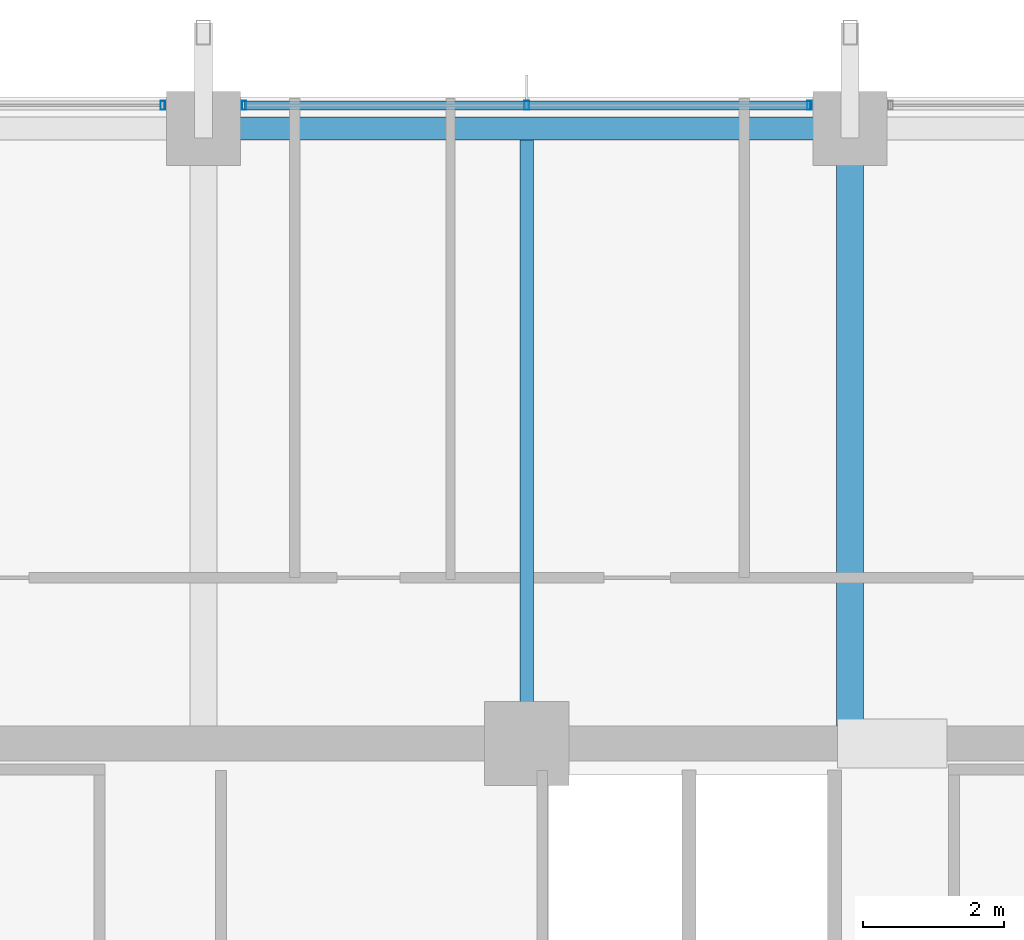
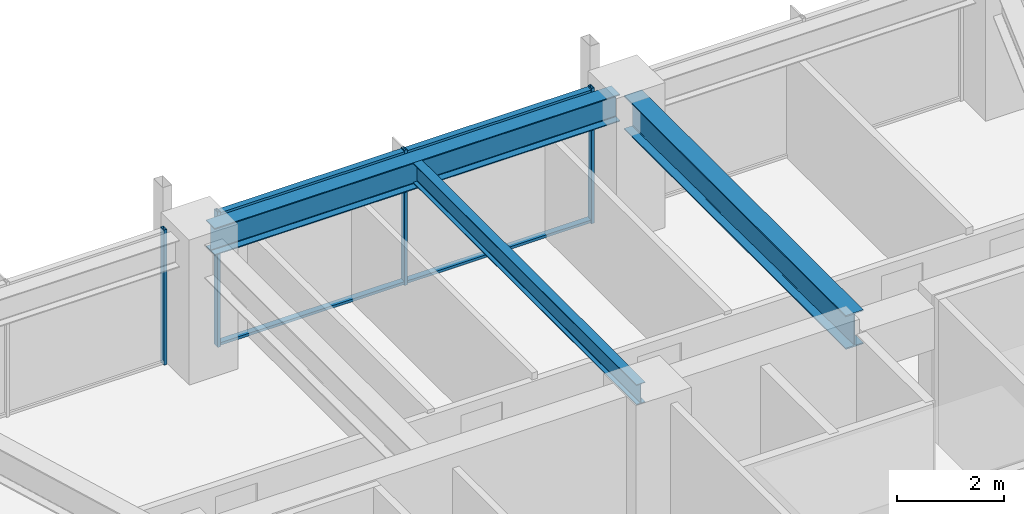
# One storey, part 20 of 35: 6 members, 3 beams, 2 elements without a shape of their own.
"""IFC4 building model written with IfcOpenShell, lengths in metres."""

from ifc_helpers import new_model, si_unit, direction, frame, origin, origin_2d, place, context, subcontext, project, spatial, hollow_rectangle, i_section, extrude, material, material_profile, profile_set, type_object, element, aggregate, save


model = new_model("IFC4")

# Units and contexts
model_context = context("Model", 3, precision=1e-05, world=origin(), true_north=direction((0.0, 1.0)))
body_context = subcontext(model_context, "Body", "Model", "MODEL_VIEW")
ifc_project = project(units=[si_unit("LENGTHUNIT", "METRE"), si_unit("AREAUNIT", "SQUARE_METRE"), si_unit("VOLUMEUNIT", "CUBIC_METRE"), si_unit("PLANEANGLEUNIT", "RADIAN"), si_unit("MASSUNIT", "GRAM", prefix="KILO")], contexts=[model_context])

# Site, building, storey
site_placement = place(None, origin())
site = spatial("IfcSite", under=ifc_project, at=site_placement, CompositionType="ELEMENT")
building_placement = place(site_placement, origin())
building = spatial("IfcBuilding", under=site, at=building_placement, Name="Kolvaren Belvedere", CompositionType="ELEMENT")
storey_placement = place(building_placement, frame((0.0, 0.0, 115.10009765625)))
storey = spatial("IfcBuildingStorey", under=building, at=storey_placement, Name="L33", CompositionType="ELEMENT", Elevation=115.10009765625)

# Beams
ifc_material_1 = material(Name="Structural steel ASTM A992 Grade 50", Category="steel")
ifc_material_profile_1 = material_profile(ifc_material_1, i_section(OverallWidth=0.381103515625, OverallDepth=0.77294921875, WebThickness=0.0166015625, FlangeThickness=0.027099609375, FilletRadius=0.02392578125, at=origin_2d()), Name="W30X173")
ifc_profile_set_1 = profile_set([ifc_material_profile_1], Name="Structural steel ASTM A992 Grade 50")
beam_type_1 = type_object("IfcBeamType", Name="BM-GIRD-W30X173", PredefinedType="BEAM", material=ifc_profile_set_1)
beam_1_placement = place(storey_placement, frame((4.60009765625, 10.14990234375, 2.693359375), z_axis=(0.0, 1.0, 0.0), x_axis=(-1.0, 0.0, 0.0)))
element("IfcBeam", 1, at=beam_1_placement, inside=storey, type_object=beam_type_1, Name="L33 North Radial Girder P", PredefinedType="BEAM", context=body_context, shape_type="SweptSolid", body=[
    extrude(i_section(OverallWidth=0.381103515625, OverallDepth=0.77294921875, WebThickness=0.0166015625, FlangeThickness=0.027099609375, FilletRadius=0.02392578125, at=origin_2d()), origin(), (0.0, 0.0, 1.0), 8.263916015625),
])
ifc_material_2 = material(Name="Structural steel ASTM A992 Grade 50", Category="steel")
ifc_material_profile_2 = material_profile(ifc_material_2, i_section(OverallWidth=0.19091796875, OverallDepth=0.4599609375, WebThickness=0.010009765625, FlangeThickness=0.01611328125, FilletRadius=0.014892578125, at=origin_2d()), Name="W18X55")
ifc_profile_set_2 = profile_set([ifc_material_profile_2], Name="Structural steel ASTM A992 Grade 50")
beam_type_2 = type_object("IfcBeamType", Name="BM-JOIST-W18X55", PredefinedType="BEAM", material=ifc_profile_set_2)
beam_2_placement = place(storey_placement, frame((0.0, 10.14990234375, 2.849853515625), z_axis=(0.0, 1.0, 0.0), x_axis=(-1.0, 0.0, 0.0)))
element("IfcBeam", 2, at=beam_2_placement, inside=storey, type_object=beam_type_2, Name="L33 North Centre Floor Beam", PredefinedType="BEAM", context=body_context, shape_type="SweptSolid", body=[
    extrude(i_section(OverallWidth=0.19091796875, OverallDepth=0.4599609375, WebThickness=0.010009765625, FlangeThickness=0.01611328125, FilletRadius=0.014892578125, at=origin_2d()), origin(), (0.0, 0.0, 1.0), 8.337646484375),
])
ifc_material_3 = material(Name="Structural steel ASTM A992 Grade 50", Category="steel")
ifc_material_profile_3 = material_profile(ifc_material_3, i_section(OverallWidth=0.324951171875, OverallDepth=0.615966796875, WebThickness=0.013916015625, FlangeThickness=0.021484375, FilletRadius=0.02001953125, at=origin_2d()), Name="W24X117")
ifc_profile_set_3 = profile_set([ifc_material_profile_3], Name="Structural steel ASTM A992 Grade 50")
beam_type_3 = type_object("IfcBeamType", Name="BM-SPAN-W24X117", PredefinedType="SPANDREL", material=ifc_profile_set_3)
beam_3_placement = place(storey_placement, frame((4.36376953125, 18.64990234375, 2.77197265625), z_axis=(-1.0, 0.0, 0.0), x_axis=(0.0, -1.0, 0.0)))
element("IfcBeam", 3, at=beam_3_placement, inside=storey, type_object=beam_type_3, Name="L33 Perimeter Spandrel N3-N2", PredefinedType="SPANDREL", context=body_context, shape_type="SweptSolid", body=[
    extrude(i_section(OverallWidth=0.324951171875, OverallDepth=0.615966796875, WebThickness=0.013916015625, FlangeThickness=0.021484375, FilletRadius=0.02001953125, at=origin_2d()), origin(), (0.0, 0.0, 1.0), 8.7275390625),
])

# Curtain wall, member
ifc_material_4 = material(Name="Anodised pale-metal aluminium AA 6063-T6", Category="aluminium")
curtain_wall_type = type_object("IfcCurtainWallType", Name="CW-Z3-WAIST", PredefinedType="NOTDEFINED", material=ifc_material_4)
curtain_wall_1_placement = place(storey_placement, origin())
curtain_wall_1 = element("IfcCurtainWall", 4, at=curtain_wall_1_placement, inside=storey, type_object=curtain_wall_type, Name="L33 Unitised Curtain Wall FCW-L33-N-B1", PredefinedType="NOTDEFINED")
ifc_material_5 = material(Name="Anodised pale-metal aluminium AA 6063-T6", Category="aluminium")
ifc_material_profile_4 = material_profile(ifc_material_5, hollow_rectangle(XDim=0.06494140625, YDim=0.1298828125, WallThickness=0.00390625, at=origin_2d()), Name="ALU-MUL-130X65")
ifc_profile_set_4 = profile_set([ifc_material_profile_4], Name="Anodised pale-metal aluminium AA 6063-T6")
member_type_1 = type_object("IfcMemberType", Name="CW-MUL-130", PredefinedType="MULLION", material=ifc_profile_set_4)
member_1_placement = place(storey_placement, frame((-5.177490234375, 18.97998046875, 0.0), z_axis=(0.0, 0.0, 1.0), x_axis=(1.0, 0.0, 0.0)))
member_1 = element("IfcMember", 5, at=member_1_placement, type_object=member_type_1, Name="FCW-L33-N-B1 Unitised Mullion 3", PredefinedType="MULLION", context=body_context, shape_type="SweptSolid", body=[
    extrude(hollow_rectangle(XDim=0.06494140625, YDim=0.1298828125, WallThickness=0.00390625, at=origin_2d()), origin(), (0.0, 0.0, 1.0), 3.079833984375),
])
aggregate(curtain_wall_1, [member_1])

# Curtain wall, members
curtain_wall_2_placement = place(storey_placement, origin())
curtain_wall_2 = element("IfcCurtainWall", 6, at=curtain_wall_2_placement, inside=storey, type_object=curtain_wall_type, Name="L33 Unitised Curtain Wall FCW-L33-N-B2", PredefinedType="NOTDEFINED")
member_2_placement = place(storey_placement, frame((-4.0224609375, 18.97998046875, 0.0), z_axis=(0.0, 0.0, 1.0), x_axis=(1.0, 0.0, 0.0)))
member_2 = element("IfcMember", 7, at=member_2_placement, type_object=member_type_1, Name="FCW-L33-N-B2 Unitised Mullion 1", PredefinedType="MULLION", context=body_context, shape_type="SweptSolid", body=[
    extrude(hollow_rectangle(XDim=0.06494140625, YDim=0.1298828125, WallThickness=0.00390625, at=origin_2d()), origin(), (0.0, 0.0, 1.0), 3.079833984375),
])
member_3_placement = place(storey_placement, frame((0.0, 18.97998046875, 0.0), z_axis=(0.0, 0.0, 1.0), x_axis=(1.0, 0.0, 0.0)))
member_3 = element("IfcMember", 8, at=member_3_placement, type_object=member_type_1, Name="FCW-L33-N-B2 Unitised Mullion 2", PredefinedType="MULLION", context=body_context, shape_type="SweptSolid", body=[
    extrude(hollow_rectangle(XDim=0.06494140625, YDim=0.1298828125, WallThickness=0.00390625, at=origin_2d()), origin(), (0.0, 0.0, 1.0), 3.079833984375),
])
member_4_placement = place(storey_placement, frame((4.0224609375, 18.97998046875, 0.0), z_axis=(0.0, 0.0, 1.0), x_axis=(1.0, 0.0, 0.0)))
member_4 = element("IfcMember", 9, at=member_4_placement, type_object=member_type_1, Name="FCW-L33-N-B2 Unitised Mullion 3", PredefinedType="MULLION", context=body_context, shape_type="SweptSolid", body=[
    extrude(hollow_rectangle(XDim=0.06494140625, YDim=0.1298828125, WallThickness=0.00390625, at=origin_2d()), origin(), (0.0, 0.0, 1.0), 3.079833984375),
])
ifc_material_6 = material(Name="Anodised pale-metal aluminium AA 6063-T6", Category="aluminium")
ifc_material_profile_5 = material_profile(ifc_material_6, hollow_rectangle(XDim=0.06005859375, YDim=0.1298828125, WallThickness=0.00390625, at=origin_2d()), Name="ALU-TRN-130X60")
ifc_profile_set_5 = profile_set([ifc_material_profile_5], Name="Anodised pale-metal aluminium AA 6063-T6")
member_type_2 = type_object("IfcMemberType", Name="CW-TRN-130", PredefinedType="USERDEFINED", material=ifc_profile_set_5)
member_5_placement = place(storey_placement, frame((-4.0224609375, 18.97998046875, 0.059814453125), z_axis=(1.0, 0.0, 0.0), x_axis=(0.0, 0.0, 1.0)))
member_5 = element("IfcMember", 10, at=member_5_placement, type_object=member_type_2, Name="FCW-L33-N-B2 Sill Transom", ObjectType="TRANSOM", PredefinedType="USERDEFINED", context=body_context, shape_type="SweptSolid", body=[
    extrude(hollow_rectangle(XDim=0.06005859375, YDim=0.1298828125, WallThickness=0.00390625, at=origin_2d()), origin(), (0.0, 0.0, 1.0), 8.044921875),
])
member_6_placement = place(storey_placement, frame((-4.0224609375, 18.97998046875, 3.02001953125), z_axis=(1.0, 0.0, 0.0), x_axis=(0.0, 0.0, 1.0)))
member_6 = element("IfcMember", 11, at=member_6_placement, type_object=member_type_2, Name="FCW-L33-N-B2 Head Transom", ObjectType="TRANSOM", PredefinedType="USERDEFINED", context=body_context, shape_type="SweptSolid", body=[
    extrude(hollow_rectangle(XDim=0.06005859375, YDim=0.1298828125, WallThickness=0.00390625, at=origin_2d()), origin(), (0.0, 0.0, 1.0), 8.044921875),
])
aggregate(curtain_wall_2, [member_2, member_3, member_4, member_5, member_6])

save(model, "model.ifc")
